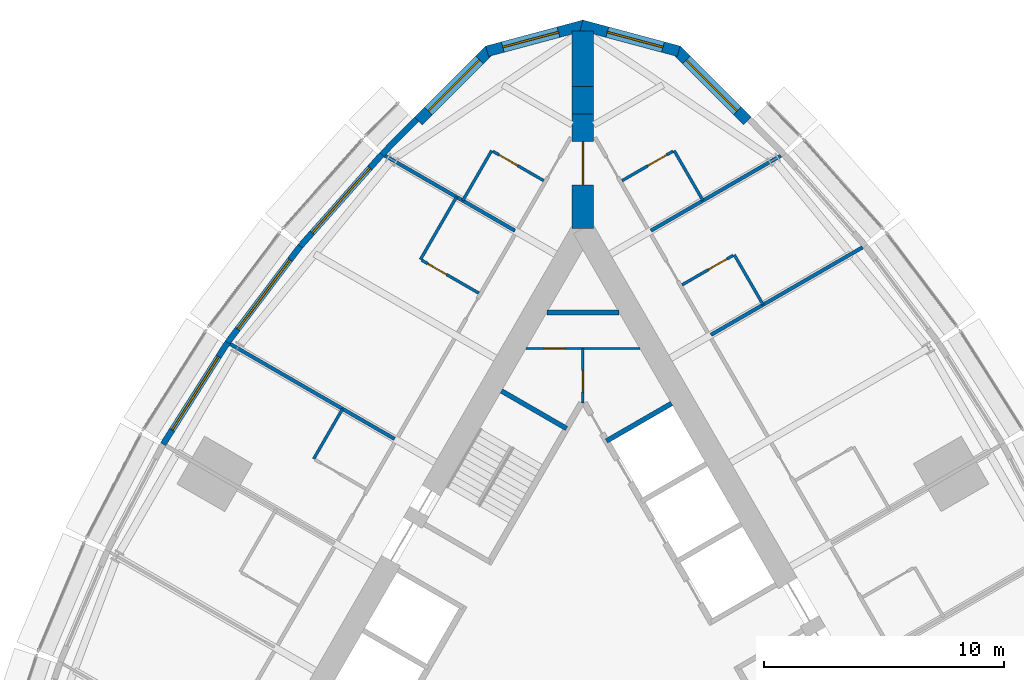
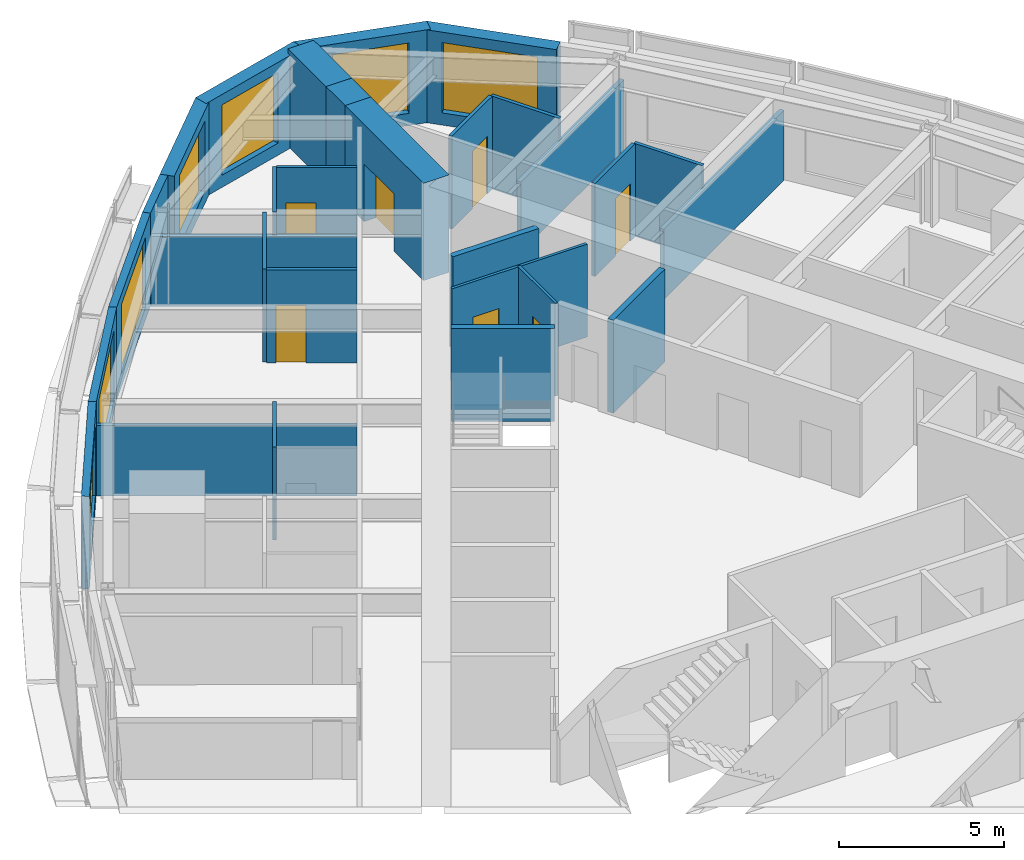
# One storey, part 13 of 15: 29 walls, 7 doors, 7 windows, 14 openings.
"""IFC4 building model written with IfcOpenShell, lengths in metres."""

from ifc_helpers import new_model, si_unit, direction, frame, frame_2d, origin, place, context, subcontext, project, spatial, polyline, rectangle, outline, extrude, material, layer, layer_set, type_object, element, fill, save


model = new_model("IFC4")

# Units and contexts
model_context = context("Model", 3, precision=1e-05, world=origin(), true_north=direction((0.0, 1.0)))
body_context = subcontext(model_context, "Body", "Model", "MODEL_VIEW")
ifc_project = project(units=[si_unit("LENGTHUNIT", "METRE"), si_unit("AREAUNIT", "SQUARE_METRE"), si_unit("VOLUMEUNIT", "CUBIC_METRE"), si_unit("PLANEANGLEUNIT", "RADIAN"), si_unit("MASSUNIT", "GRAM", prefix="KILO")], contexts=[model_context])

# Site, building, storey
site_placement = place(None, origin())
site = spatial("IfcSite", under=ifc_project, at=site_placement, CompositionType="ELEMENT")
building_placement = place(site_placement, origin())
building = spatial("IfcBuilding", under=site, at=building_placement, Name="Trikona Tower", CompositionType="ELEMENT")
storey_placement = place(building_placement, frame((0.0, 0.0, 200.89990234375)))
storey = spatial("IfcBuildingStorey", under=building, at=storey_placement, Name="L53", CompositionType="ELEMENT", Elevation=200.89990234375)

# Wall
ifc_material_1 = material(Name="Metal stud and cement board", Category="gypsum")
ifc_layer_1 = layer(ifc_material_1, 0.1201171875)
ifc_layer_set_1 = layer_set([ifc_layer_1], Name="Bathroom wall 120")
wall_type_1 = type_object("IfcWallType", Name="Bathroom wall 120", PredefinedType="PLUMBINGWALL", material=ifc_layer_set_1)
wall_1_placement = place(storey_placement, frame((7.493408203125, 15.873291015625, 0.0), z_axis=(0.0, 0.0, 1.0), x_axis=(-0.499957262057, 0.866050077142, 0.0)))
element("IfcWall", 1, at=wall_1_placement, inside=storey, type_object=wall_type_1, Name="Bathroom wall 5310", PredefinedType="PLUMBINGWALL", context=body_context, shape_type="SweptSolid", body=[
    extrude(rectangle(XDim=2.400146484375, YDim=0.1201171875, at=frame_2d((1.2001953125, 0.0))), origin(), (0.0, 0.0, 1.0), 3.43505859375),
])

# Wall, opening, door
wall_2_placement = place(storey_placement, frame((4.12841796875, 16.701904296875, 0.0), z_axis=(0.0, 0.0, 1.0), x_axis=(0.866048967903, 0.499959183527, 0.0)))
wall_2 = element("IfcWall", 2, at=wall_2_placement, inside=storey, type_object=wall_type_1, Name="Bathroom wall 5310", PredefinedType="PLUMBINGWALL", context=body_context, shape_type="SweptSolid", body=[
    extrude(rectangle(XDim=2.440185546875, YDim=0.1201171875, at=frame_2d((1.22021484375, 0.0))), origin(), (0.0, 0.0, 1.0), 3.43505859375),
])
opening_1_placement = place(wall_2_placement, frame((1.25, 0.0, 0.0)))
opening_1 = element("IfcOpeningElement", 3, at=opening_1_placement, cuts=wall_2, Name="Opening D2", PredefinedType="OPENING", context=body_context, shape_type="SweptSolid", body=[
    extrude(rectangle(XDim=0.89990234375, YDim=2.1298828125, at=frame_2d((0.449951171875, 1.06494140625))), frame((0.0, 0.070068359375, 0.0), z_axis=(0.0, -1.0, 0.0), x_axis=(1.0, 0.0, 0.0)), (0.0, 0.0, 1.0), 0.14013671875),
])
ifc_material_2 = material(Name="Steel door frame with solid-core timber leaf", Category="steel")
door_type_1 = type_object("IfcDoorType", Name="Bathroom door 900x2130", OperationType="SLIDING_TO_LEFT", PredefinedType="DOOR", material=ifc_material_2)
door_1_placement = place(opening_1_placement, origin())
door_1 = element("IfcDoor", 4, at=door_1_placement, inside=storey, type_object=door_type_1, Name="Bathroom door 5310", OperationType="SLIDING_TO_LEFT", OverallHeight=2.1298828125, OverallWidth=0.89990234375, PredefinedType="DOOR", context=body_context, shape_type="SweptSolid", body=[
    extrude(rectangle(XDim=0.89990234375, YDim=2.1298828125, at=frame_2d((0.449951171875, 1.06494140625))), frame((0.0, 0.02490234375, 0.0), z_axis=(0.0, -1.0, 0.0), x_axis=(1.0, 0.0, 0.0)), (0.0, 0.0, 1.0), 0.050048828125),
])
fill(opening_1, door_1)

# Wall
wall_3_placement = place(storey_placement, frame((4.993408203125, 20.20361328125, 0.0), z_axis=(0.0, 0.0, 1.0), x_axis=(-0.500001309137, 0.866024647952, 0.0)))
element("IfcWall", 5, at=wall_3_placement, inside=storey, type_object=wall_type_1, Name="Bathroom wall 5311", PredefinedType="PLUMBINGWALL", context=body_context, shape_type="SweptSolid", body=[
    extrude(rectangle(XDim=2.39990234375, YDim=0.1201171875, at=frame_2d((1.199951171875, 0.0))), origin(), (0.0, 0.0, 1.0), 3.43505859375),
])

# Wall, opening, door
wall_4_placement = place(storey_placement, frame((1.62841796875, 21.031982421875, 0.0), z_axis=(0.0, 0.0, 1.0), x_axis=(0.866048967903, 0.499959183527, 0.0)))
wall_4 = element("IfcWall", 6, at=wall_4_placement, inside=storey, type_object=wall_type_1, Name="Bathroom wall 5311", PredefinedType="PLUMBINGWALL", context=body_context, shape_type="SweptSolid", body=[
    extrude(rectangle(XDim=2.440185546875, YDim=0.1201171875, at=frame_2d((1.22021484375, 0.0))), origin(), (0.0, 0.0, 1.0), 3.43505859375),
])
opening_2_placement = place(wall_4_placement, frame((1.25, 0.0, 0.0)))
opening_2 = element("IfcOpeningElement", 7, at=opening_2_placement, cuts=wall_4, Name="Opening D2", PredefinedType="OPENING", context=body_context, shape_type="SweptSolid", body=[
    extrude(rectangle(XDim=0.89990234375, YDim=2.1298828125, at=frame_2d((0.449951171875, 1.06494140625))), frame((0.0, 0.070068359375, 0.0), z_axis=(0.0, -1.0, 0.0), x_axis=(1.0, 0.0, 0.0)), (0.0, 0.0, 1.0), 0.14013671875),
])
door_2_placement = place(opening_2_placement, origin())
door_2 = element("IfcDoor", 8, at=door_2_placement, inside=storey, type_object=door_type_1, Name="Bathroom door 5311", OperationType="SLIDING_TO_LEFT", OverallHeight=2.1298828125, OverallWidth=0.89990234375, PredefinedType="DOOR", context=body_context, shape_type="SweptSolid", body=[
    extrude(rectangle(XDim=0.89990234375, YDim=2.1298828125, at=frame_2d((0.449951171875, 1.06494140625))), frame((0.0, 0.02490234375, 0.0), z_axis=(0.0, -1.0, 0.0), x_axis=(1.0, 0.0, 0.0)), (0.0, 0.0, 1.0), 0.050048828125),
])
fill(opening_2, door_2)

# Wall
wall_5_placement = place(storey_placement, frame((-3.79345703125, 22.281982421875, 0.0), z_axis=(0.0, 0.0, 1.0), x_axis=(-0.500001309137, -0.866024647952, 0.0)))
element("IfcWall", 9, at=wall_5_placement, inside=storey, type_object=wall_type_1, Name="Bathroom wall 5312", PredefinedType="PLUMBINGWALL", context=body_context, shape_type="SweptSolid", body=[
    extrude(rectangle(XDim=2.39990234375, YDim=0.1201171875, at=frame_2d((1.199951171875, 0.0))), origin(), (0.0, 0.0, 1.0), 3.43505859375),
])

# Wall, opening, door
wall_6_placement = place(storey_placement, frame((-1.62841796875, 21.031982421875, 0.0), z_axis=(0.0, 0.0, 1.0), x_axis=(-0.866048967903, 0.499959183527, 0.0)))
wall_6 = element("IfcWall", 10, at=wall_6_placement, inside=storey, type_object=wall_type_1, Name="Bathroom wall 5312", PredefinedType="PLUMBINGWALL", context=body_context, shape_type="SweptSolid", body=[
    extrude(rectangle(XDim=2.440185546875, YDim=0.1201171875, at=frame_2d((1.22021484375, 0.0))), origin(), (0.0, 0.0, 1.0), 3.43505859375),
])
opening_3_placement = place(wall_6_placement, frame((1.25, 0.0, 0.0)))
opening_3 = element("IfcOpeningElement", 11, at=opening_3_placement, cuts=wall_6, Name="Opening D2", PredefinedType="OPENING", context=body_context, shape_type="SweptSolid", body=[
    extrude(rectangle(XDim=0.89990234375, YDim=2.1298828125, at=frame_2d((0.449951171875, 1.06494140625))), frame((0.0, 0.070068359375, 0.0), z_axis=(0.0, -1.0, 0.0), x_axis=(1.0, 0.0, 0.0)), (0.0, 0.0, 1.0), 0.14013671875),
])
door_3_placement = place(opening_3_placement, origin())
door_3 = element("IfcDoor", 12, at=door_3_placement, inside=storey, type_object=door_type_1, Name="Bathroom door 5312", OperationType="SLIDING_TO_LEFT", OverallHeight=2.1298828125, OverallWidth=0.89990234375, PredefinedType="DOOR", context=body_context, shape_type="SweptSolid", body=[
    extrude(rectangle(XDim=0.89990234375, YDim=2.1298828125, at=frame_2d((0.449951171875, 1.06494140625))), frame((0.0, 0.02490234375, 0.0), z_axis=(0.0, -1.0, 0.0), x_axis=(1.0, 0.0, 0.0)), (0.0, 0.0, 1.0), 0.050048828125),
])
fill(opening_3, door_3)

# Wall
wall_7_placement = place(storey_placement, frame((-5.25341796875, 20.353515625, 0.0), z_axis=(0.0, 0.0, 1.0), x_axis=(-0.499990139034, -0.866031096941, 0.0)))
element("IfcWall", 13, at=wall_7_placement, inside=storey, type_object=wall_type_1, Name="Bathroom wall 5313", PredefinedType="PLUMBINGWALL", context=body_context, shape_type="SweptSolid", body=[
    extrude(rectangle(XDim=3.0, YDim=0.1201171875, at=frame_2d((1.5, 0.0))), origin(), (0.0, 0.0, 1.0), 3.43505859375),
])

# Wall, opening, door
wall_8_placement = place(storey_placement, frame((-4.32861328125, 16.35546875, 0.0), z_axis=(0.0, 0.0, 1.0), x_axis=(-0.866035715982, 0.499982138324, 0.0)))
wall_8 = element("IfcWall", 14, at=wall_8_placement, inside=storey, type_object=wall_type_1, Name="Bathroom wall 5313", PredefinedType="PLUMBINGWALL", context=body_context, shape_type="SweptSolid", body=[
    extrude(rectangle(XDim=2.73974609375, YDim=0.1201171875, at=frame_2d((1.369873046875, 0.0))), origin(), (0.0, 0.0, 1.0), 3.43505859375),
])
opening_4_placement = place(wall_8_placement, frame((1.550048828125, 0.0, 0.0)))
opening_4 = element("IfcOpeningElement", 15, at=opening_4_placement, cuts=wall_8, Name="Opening D2", PredefinedType="OPENING", context=body_context, shape_type="SweptSolid", body=[
    extrude(rectangle(XDim=0.89990234375, YDim=2.1298828125, at=frame_2d((0.449951171875, 1.06494140625))), frame((0.0, 0.070068359375, 0.0), z_axis=(0.0, -1.0, 0.0), x_axis=(1.0, 0.0, 0.0)), (0.0, 0.0, 1.0), 0.14013671875),
])
door_4_placement = place(opening_4_placement, origin())
door_4 = element("IfcDoor", 16, at=door_4_placement, inside=storey, type_object=door_type_1, Name="Bathroom door 5313", OperationType="SLIDING_TO_LEFT", OverallHeight=2.1298828125, OverallWidth=0.89990234375, PredefinedType="DOOR", context=body_context, shape_type="SweptSolid", body=[
    extrude(rectangle(XDim=0.89990234375, YDim=2.1298828125, at=frame_2d((0.449951171875, 1.06494140625))), frame((0.0, 0.02490234375, 0.0), z_axis=(0.0, -1.0, 0.0), x_axis=(1.0, 0.0, 0.0)), (0.0, 0.0, 1.0), 0.050048828125),
])
fill(opening_4, door_4)

# Wall
wall_9_placement = place(storey_placement, frame((-9.993408203125, 11.543212890625, 0.0), z_axis=(0.0, 0.0, 1.0), x_axis=(-0.500077600433, -0.865980596518, 0.0)))
element("IfcWall", 17, at=wall_9_placement, inside=storey, type_object=wall_type_1, Name="Bathroom wall 5314", PredefinedType="PLUMBINGWALL", context=body_context, shape_type="SweptSolid", body=[
    extrude(rectangle(XDim=2.39990234375, YDim=0.1201171875, at=frame_2d((1.199951171875, 0.0))), origin(), (0.0, 0.0, 1.0), 3.43505859375),
])

# Wall, opening, window
ifc_material_3 = material(Name="Brick-faced precast concrete", Category="masonry")
ifc_layer_2 = layer(ifc_material_3, 0.449951171875)
ifc_layer_set_2 = layer_set([ifc_layer_2], Name="Brick-faced corner wall 450")
wall_type_2 = type_object("IfcWallType", Name="Brick-faced corner wall 450", PredefinedType="SOLIDWALL", material=ifc_layer_set_2)
wall_10_placement = place(storey_placement, frame((6.8408203125, 23.51220703125, 0.0), z_axis=(0.0, 0.0, 1.0), x_axis=(-0.707106781187, 0.707106781187, 0.0)))
wall_10 = element("IfcWall", 18, at=wall_10_placement, inside=storey, type_object=wall_type_2, Name="External wall L53-20", PredefinedType="SOLIDWALL", context=body_context, shape_type="SweptSolid", body=[
    extrude(rectangle(XDim=4.183837890625, YDim=0.449951171875, at=frame_2d((2.091796875, 0.0))), origin(), (0.0, 0.0, 1.0), 3.43505859375),
])
opening_5_placement = place(wall_10_placement, frame((0.592041015625, 0.0, 0.449951171875)))
opening_5 = element("IfcOpeningElement", 19, at=opening_5_placement, cuts=wall_10, Name="Opening W3026", PredefinedType="OPENING", context=body_context, shape_type="SweptSolid", body=[
    extrude(rectangle(XDim=3.0, YDim=2.60009765625, at=frame_2d((1.5, 1.300048828125))), frame((0.0, 0.23486328125, 0.0), z_axis=(0.0, -1.0, 0.0), x_axis=(1.0, 0.0, 0.0)), (0.0, 0.0, 1.0), 0.469970703125),
])
ifc_material_4 = material(Name="Aluminium-framed double glazing", Category="aluminium")
window_type_1 = type_object("IfcWindowType", Name="Window 3000x2600", PartitioningType="SINGLE_PANEL", PredefinedType="WINDOW", material=ifc_material_4)
window_1_placement = place(opening_5_placement, origin())
window_1 = element("IfcWindow", 20, at=window_1_placement, inside=storey, type_object=window_type_1, Name="Window 5311", OverallHeight=2.60009765625, OverallWidth=3.0, PartitioningType="SINGLE_PANEL", PredefinedType="WINDOW", context=body_context, shape_type="SweptSolid", body=[
    extrude(rectangle(XDim=3.0, YDim=2.60009765625, at=frame_2d((1.5, 1.300048828125))), frame((0.0, 0.030029296875, 0.0), z_axis=(0.0, -1.0, 0.0), x_axis=(1.0, 0.0, 0.0)), (0.0, 0.0, 1.0), 0.06005859375),
])
fill(opening_5, window_1)

wall_11_placement = place(storey_placement, frame((3.9833984375, 26.41259765625, 0.0), z_axis=(0.0, 0.0, 1.0), x_axis=(-0.965920442324, 0.258839137498, 0.0)))
wall_11 = element("IfcWall", 21, at=wall_11_placement, inside=storey, type_object=wall_type_2, Name="External wall L53-21", PredefinedType="SOLIDWALL", context=body_context, shape_type="SweptSolid", body=[
    extrude(outline(polyline([(4.18408203125, 0.22509765625), (4.124267578125, 0.22509765625), (3.633056640625, 0.09326171875), (3.59765625, 0.22509765625), (0.0, 0.22509765625), (0.0, -0.22509765625), (4.18408203125, -0.22509765625), (4.18408203125, 0.22509765625)])), origin(), (0.0, 0.0, 1.0), 3.43505859375),
])
opening_6_placement = place(wall_11_placement, frame((0.673828125, 0.0, 0.449951171875)))
opening_6 = element("IfcOpeningElement", 22, at=opening_6_placement, cuts=wall_11, Name="Opening W2426", PredefinedType="OPENING", context=body_context, shape_type="SweptSolid", body=[
    extrude(rectangle(XDim=2.39990234375, YDim=2.60009765625, at=frame_2d((1.199951171875, 1.300048828125))), frame((0.0, 0.23486328125, 0.0), z_axis=(0.0, -1.0, 0.0), x_axis=(1.0, 0.0, 0.0)), (0.0, 0.0, 1.0), 0.469970703125),
])
ifc_material_5 = material(Name="Aluminium-framed double glazing", Category="aluminium")
window_type_2 = type_object("IfcWindowType", Name="Window 2400x2600", PartitioningType="SINGLE_PANEL", PredefinedType="WINDOW", material=ifc_material_5)
window_2_placement = place(opening_6_placement, origin())
window_2 = element("IfcWindow", 23, at=window_2_placement, inside=storey, type_object=window_type_2, Name="Window 5311", OverallHeight=2.60009765625, OverallWidth=2.39990234375, PartitioningType="SINGLE_PANEL", PredefinedType="WINDOW", context=body_context, shape_type="SweptSolid", body=[
    extrude(rectangle(XDim=2.39990234375, YDim=2.60009765625, at=frame_2d((1.199951171875, 1.300048828125))), frame((0.0, 0.030029296875, 0.0), z_axis=(0.0, -1.0, 0.0), x_axis=(1.0, 0.0, 0.0)), (0.0, 0.0, 1.0), 0.06005859375),
])
fill(opening_6, window_2)

wall_12_placement = place(storey_placement, frame((0.05810546875, 27.49560546875, 0.0), z_axis=(0.0, 0.0, 1.0), x_axis=(-0.965920442324, -0.258839137498, 0.0)))
wall_12 = element("IfcWall", 24, at=wall_12_placement, inside=storey, type_object=wall_type_2, Name="External wall L53-22", PredefinedType="SOLIDWALL", context=body_context, shape_type="SweptSolid", body=[
    extrude(outline(polyline([(4.18408203125, 0.22509765625), (0.58642578125, 0.22509765625), (0.551025390625, 0.09326171875), (0.059814453125, 0.22509765625), (0.0, 0.22509765625), (0.0, -0.22509765625), (4.18408203125, -0.22509765625), (4.18408203125, 0.22509765625)])), origin(), (0.0, 0.0, 1.0), 3.43505859375),
])
opening_7_placement = place(wall_12_placement, frame((1.1103515625, 0.0, 0.449951171875)))
opening_7 = element("IfcOpeningElement", 25, at=opening_7_placement, cuts=wall_12, Name="Opening W2426", PredefinedType="OPENING", context=body_context, shape_type="SweptSolid", body=[
    extrude(rectangle(XDim=2.39990234375, YDim=2.60009765625, at=frame_2d((1.199951171875, 1.300048828125))), frame((0.0, 0.23486328125, 0.0), z_axis=(0.0, -1.0, 0.0), x_axis=(1.0, 0.0, 0.0)), (0.0, 0.0, 1.0), 0.469970703125),
])
window_3_placement = place(opening_7_placement, origin())
window_3 = element("IfcWindow", 26, at=window_3_placement, inside=storey, type_object=window_type_2, Name="Window 5312", OverallHeight=2.60009765625, OverallWidth=2.39990234375, PartitioningType="SINGLE_PANEL", PredefinedType="WINDOW", context=body_context, shape_type="SweptSolid", body=[
    extrude(rectangle(XDim=2.39990234375, YDim=2.60009765625, at=frame_2d((1.199951171875, 1.300048828125))), frame((0.0, 0.030029296875, 0.0), z_axis=(0.0, -1.0, 0.0), x_axis=(1.0, 0.0, 0.0)), (0.0, 0.0, 1.0), 0.06005859375),
])
fill(opening_7, window_3)

wall_13_placement = place(storey_placement, frame((-3.88232421875, 26.470703125, 0.0), z_axis=(0.0, 0.0, 1.0), x_axis=(-0.707106781187, -0.707106781187, 0.0)))
wall_13 = element("IfcWall", 27, at=wall_13_placement, inside=storey, type_object=wall_type_2, Name="External wall L53-23", PredefinedType="SOLIDWALL", context=body_context, shape_type="SweptSolid", body=[
    extrude(rectangle(XDim=4.183837890625, YDim=0.449951171875, at=frame_2d((2.091796875, 0.0))), origin(), (0.0, 0.0, 1.0), 3.43505859375),
])
opening_8_placement = place(wall_13_placement, frame((0.592041015625, 0.0, 0.449951171875)))
opening_8 = element("IfcOpeningElement", 28, at=opening_8_placement, cuts=wall_13, Name="Opening W3026", PredefinedType="OPENING", context=body_context, shape_type="SweptSolid", body=[
    extrude(rectangle(XDim=3.0, YDim=2.60009765625, at=frame_2d((1.5, 1.300048828125))), frame((0.0, 0.23486328125, 0.0), z_axis=(0.0, -1.0, 0.0), x_axis=(1.0, 0.0, 0.0)), (0.0, 0.0, 1.0), 0.469970703125),
])
window_4_placement = place(opening_8_placement, origin())
window_4 = element("IfcWindow", 29, at=window_4_placement, inside=storey, type_object=window_type_1, Name="Window 5312", OverallHeight=2.60009765625, OverallWidth=3.0, PartitioningType="SINGLE_PANEL", PredefinedType="WINDOW", context=body_context, shape_type="SweptSolid", body=[
    extrude(rectangle(XDim=3.0, YDim=2.60009765625, at=frame_2d((1.5, 1.300048828125))), frame((0.0, 0.030029296875, 0.0), z_axis=(0.0, -1.0, 0.0), x_axis=(1.0, 0.0, 0.0)), (0.0, 0.0, 1.0), 0.06005859375),
])
fill(opening_8, window_4)

# Wall, opening, door
ifc_material_6 = material(Name="Concrete f'c 10000 psi", Category="concrete")
ifc_layer_3 = layer(ifc_material_6, 0.89990234375)
ifc_layer_set_3 = layer_set([ifc_layer_3], Name="Buttress wall 900")
wall_type_3 = type_object("IfcWallType", Name="Buttress wall 900", PredefinedType="SHEAR", material=ifc_layer_set_3)
wall_14_placement = place(storey_placement, frame((0.0, 19.052490234375, 0.0), z_axis=(0.0, 0.0, 1.0), x_axis=(0.0, 1.0, 0.0)))
wall_14 = element("IfcWall", 30, at=wall_14_placement, inside=storey, type_object=wall_type_3, Name="Buttress wall 2", PredefinedType="SHEAR", context=body_context, shape_type="SweptSolid", body=[
    extrude(rectangle(XDim=4.74609375, YDim=0.89990234375, at=frame_2d((2.373046875, 0.0))), origin(), (0.0, 0.0, 1.0), 3.60009765625),
])
opening_9_placement = place(wall_14_placement, frame((1.800048828125, 0.0, 0.0)))
opening_9 = element("IfcOpeningElement", 31, at=opening_9_placement, cuts=wall_14, Name="Opening D10", PredefinedType="OPENING", context=body_context, shape_type="SweptSolid", body=[
    extrude(rectangle(XDim=1.800048828125, YDim=2.1298828125, at=frame_2d((0.89990234375, 1.06494140625))), frame((0.0, 0.4599609375, 0.0), z_axis=(0.0, -1.0, 0.0), x_axis=(1.0, 0.0, 0.0)), (0.0, 0.0, 1.0), 0.919921875),
])
ifc_material_7 = material(Name="Hollow metal door and frame", Category="steel")
door_type_2 = type_object("IfcDoorType", Name="Cross-corridor door pair 1800x2130", OperationType="DOUBLE_DOOR_DOUBLE_SWING", PredefinedType="DOOR", material=ifc_material_7)
door_5_placement = place(opening_9_placement, origin())
door_5 = element("IfcDoor", 32, at=door_5_placement, inside=storey, type_object=door_type_2, Name="Cross-corridor door 2", OperationType="DOUBLE_DOOR_DOUBLE_SWING", OverallHeight=2.1298828125, OverallWidth=1.800048828125, PredefinedType="DOOR", context=body_context, shape_type="SweptSolid", body=[
    extrude(rectangle(XDim=1.800048828125, YDim=2.1298828125, at=frame_2d((0.89990234375, 1.06494140625))), frame((0.0, 0.02490234375, 0.0), z_axis=(0.0, -1.0, 0.0), x_axis=(1.0, 0.0, 0.0)), (0.0, 0.0, 1.0), 0.050048828125),
])
fill(opening_9, door_5)

# Walls
wall_15_placement = place(storey_placement, frame((0.0, 23.798583984375, 0.0), z_axis=(0.0, 0.0, 1.0), x_axis=(0.0, 1.0, 0.0)))
element("IfcWall", 33, at=wall_15_placement, inside=storey, type_object=wall_type_3, Name="Buttress wall 2 part 2", PredefinedType="SHEAR", context=body_context, shape_type="SweptSolid", body=[
    extrude(rectangle(XDim=1.15478515625, YDim=0.89990234375, at=frame_2d((0.577392578125, 0.0))), origin(), (0.0, 0.0, 1.0), 3.60009765625),
])
wall_16_placement = place(storey_placement, frame((0.0, 24.953369140625, 0.0), z_axis=(0.0, 0.0, 1.0), x_axis=(0.0, 1.0, 0.0)))
element("IfcWall", 34, at=wall_16_placement, inside=storey, type_object=wall_type_3, Name="Buttress wall 2 part 3", PredefinedType="SHEAR", context=body_context, shape_type="SweptSolid", body=[
    extrude(rectangle(XDim=2.309326171875, YDim=0.89990234375, at=frame_2d((1.15478515625, 0.0))), origin(), (0.0, 0.0, 1.0), 3.60009765625),
])
ifc_material_8 = material(Name="Insulated precast concrete spandrel panel", Category="concrete")
ifc_layer_4 = layer(ifc_material_8, 0.25)
ifc_layer_set_4 = layer_set([ifc_layer_4], Name="Inner skin wall 250")
wall_type_4 = type_object("IfcWallType", Name="Inner skin wall 250", PredefinedType="STANDARD", material=ifc_layer_set_4)
wall_17_placement = place(storey_placement, frame((-6.9111328125, 23.58349609375, 0.0), z_axis=(0.0, 0.0, 1.0), x_axis=(-0.704149946111, -0.710051303352, 0.0)))
element("IfcWall", 35, at=wall_17_placement, inside=storey, type_object=wall_type_4, Name="External wall L53-24", PredefinedType="STANDARD", context=body_context, shape_type="SweptSolid", body=[
    extrude(rectangle(XDim=2.068603515625, YDim=0.25, at=frame_2d((1.0341796875, 0.0))), origin(), (0.0, 0.0, 1.0), 3.43505859375),
])

# Wall, opening, window
wall_18_placement = place(storey_placement, frame((-8.363037109375, 22.119873046875, 0.0), z_axis=(0.0, 0.0, 1.0), x_axis=(-0.664348996191, -0.747422511876, 0.0)))
wall_18 = element("IfcWall", 36, at=wall_18_placement, inside=storey, type_object=wall_type_4, Name="External wall L53-25", PredefinedType="STANDARD", context=body_context, shape_type="SweptSolid", body=[
    extrude(rectangle(XDim=5.104736328125, YDim=0.25, at=frame_2d((2.55224609375, 0.0))), origin(), (0.0, 0.0, 1.0), 3.43505859375),
])
opening_10_placement = place(wall_18_placement, frame((0.75244140625, 0.0, 0.449951171875)))
opening_10 = element("IfcOpeningElement", 37, at=opening_10_placement, cuts=wall_18, Name="Opening W3626", PredefinedType="OPENING", context=body_context, shape_type="SweptSolid", body=[
    extrude(rectangle(XDim=3.60009765625, YDim=2.60009765625, at=frame_2d((1.800048828125, 1.300048828125))), frame((0.0, 0.135009765625, 0.0), z_axis=(0.0, -1.0, 0.0), x_axis=(1.0, 0.0, 0.0)), (0.0, 0.0, 1.0), 0.27001953125),
])
ifc_material_9 = material(Name="Aluminium-framed double glazing", Category="aluminium")
window_type_3 = type_object("IfcWindowType", Name="Window 3600x2600", PartitioningType="SINGLE_PANEL", PredefinedType="WINDOW", material=ifc_material_9)
window_5_placement = place(opening_10_placement, origin())
window_5 = element("IfcWindow", 38, at=window_5_placement, inside=storey, type_object=window_type_3, Name="Window 5313", OverallHeight=2.60009765625, OverallWidth=3.60009765625, PartitioningType="SINGLE_PANEL", PredefinedType="WINDOW", context=body_context, shape_type="SweptSolid", body=[
    extrude(rectangle(XDim=3.60009765625, YDim=2.60009765625, at=frame_2d((1.800048828125, 1.300048828125))), frame((0.0, 0.030029296875, 0.0), z_axis=(0.0, -1.0, 0.0), x_axis=(1.0, 0.0, 0.0)), (0.0, 0.0, 1.0), 0.06005859375),
])
fill(opening_10, window_5)

wall_19_placement = place(storey_placement, frame((-11.748046875, 18.31201171875, 0.0), z_axis=(0.0, 0.0, 1.0), x_axis=(-0.602408653511, -0.798187831388, 0.0)))
wall_19 = element("IfcWall", 39, at=wall_19_placement, inside=storey, type_object=wall_type_4, Name="External wall L53-26", PredefinedType="STANDARD", context=body_context, shape_type="SweptSolid", body=[
    extrude(rectangle(XDim=5.037841796875, YDim=0.25, at=frame_2d((2.51904296875, 0.0))), origin(), (0.0, 0.0, 1.0), 3.43505859375),
])
opening_11_placement = place(wall_19_placement, frame((0.718994140625, 0.0, 0.449951171875)))
opening_11 = element("IfcOpeningElement", 40, at=opening_11_placement, cuts=wall_19, Name="Opening W3626", PredefinedType="OPENING", context=body_context, shape_type="SweptSolid", body=[
    extrude(rectangle(XDim=3.60009765625, YDim=2.60009765625, at=frame_2d((1.800048828125, 1.300048828125))), frame((0.0, 0.135009765625, 0.0), z_axis=(0.0, -1.0, 0.0), x_axis=(1.0, 0.0, 0.0)), (0.0, 0.0, 1.0), 0.27001953125),
])
window_6_placement = place(opening_11_placement, origin())
window_6 = element("IfcWindow", 41, at=window_6_placement, inside=storey, type_object=window_type_3, Name="Window 5313", OverallHeight=2.60009765625, OverallWidth=3.60009765625, PartitioningType="SINGLE_PANEL", PredefinedType="WINDOW", context=body_context, shape_type="SweptSolid", body=[
    extrude(rectangle(XDim=3.60009765625, YDim=2.60009765625, at=frame_2d((1.800048828125, 1.300048828125))), frame((0.0, 0.030029296875, 0.0), z_axis=(0.0, -1.0, 0.0), x_axis=(1.0, 0.0, 0.0)), (0.0, 0.0, 1.0), 0.06005859375),
])
fill(opening_11, window_6)

wall_20_placement = place(storey_placement, frame((-14.777099609375, 14.29931640625, 0.0), z_axis=(0.0, 0.0, 1.0), x_axis=(-0.535220361449, -0.844712474568, 0.0)))
wall_20 = element("IfcWall", 42, at=wall_20_placement, inside=storey, type_object=wall_type_4, Name="External wall L53-27", PredefinedType="STANDARD", context=body_context, shape_type="SweptSolid", body=[
    extrude(rectangle(XDim=5.00439453125, YDim=0.25, at=frame_2d((2.502197265625, 0.0))), origin(), (0.0, 0.0, 1.0), 3.43505859375),
])
opening_12_placement = place(wall_20_placement, frame((0.7021484375, 0.0, 0.449951171875)))
opening_12 = element("IfcOpeningElement", 43, at=opening_12_placement, cuts=wall_20, Name="Opening W3626", PredefinedType="OPENING", context=body_context, shape_type="SweptSolid", body=[
    extrude(rectangle(XDim=3.60009765625, YDim=2.60009765625, at=frame_2d((1.800048828125, 1.300048828125))), frame((0.0, 0.135009765625, 0.0), z_axis=(0.0, -1.0, 0.0), x_axis=(1.0, 0.0, 0.0)), (0.0, 0.0, 1.0), 0.27001953125),
])
window_7_placement = place(opening_12_placement, origin())
window_7 = element("IfcWindow", 44, at=window_7_placement, inside=storey, type_object=window_type_3, Name="Window 5314", OverallHeight=2.60009765625, OverallWidth=3.60009765625, PartitioningType="SINGLE_PANEL", PredefinedType="WINDOW", context=body_context, shape_type="SweptSolid", body=[
    extrude(rectangle(XDim=3.60009765625, YDim=2.60009765625, at=frame_2d((1.800048828125, 1.300048828125))), frame((0.0, 0.030029296875, 0.0), z_axis=(0.0, -1.0, 0.0), x_axis=(1.0, 0.0, 0.0)), (0.0, 0.0, 1.0), 0.06005859375),
])
fill(opening_12, window_7)

# Walls
ifc_material_10 = material(Name="Metal stud and gypsum board, 1-hour acoustic", Category="gypsum")
ifc_layer_5 = layer(ifc_material_10, 0.14990234375)
ifc_layer_set_5 = layer_set([ifc_layer_5], Name="Party wall 150")
wall_type_5 = type_object("IfcWallType", Name="Party wall 150", PredefinedType="PARTITIONING", material=ifc_layer_set_5)
wall_21_placement = place(storey_placement, frame((5.32861328125, 14.623291015625, 0.0), z_axis=(0.0, 0.0, 1.0), x_axis=(0.866017877653, 0.500013035415, 0.0)))
element("IfcWall", 45, at=wall_21_placement, inside=storey, type_object=wall_type_5, Name="Partition L53 F2 u10", PredefinedType="PARTITIONING", context=body_context, shape_type="SweptSolid", body=[
    extrude(rectangle(XDim=7.272705078125, YDim=0.14990234375, at=frame_2d((3.63623046875, 0.0))), origin(), (0.0, 0.0, 1.0), 2.58935546875),
])
for number, where, z_axis, x_axis, name in (
    (46, (2.82861328125, 18.95361328125, 0.0), (0.0, 0.0, 1.0), (0.866026604282, 0.499997920671, 0.0), "Partition L53 F2 u15"),
    (47, (-2.82861328125, 18.95361328125, 0.0), (0.0, 0.0, 1.0), (-0.866026604282, 0.499997920671, 0.0), "Partition L53 F3 u-15"),
):
    element("IfcWall", number, at=place(storey_placement, frame(where, z_axis=z_axis, x_axis=x_axis)), inside=storey, type_object=wall_type_5, Name=name, PredefinedType="PARTITIONING", context=body_context, shape_type="SweptSolid", body=[
        extrude(rectangle(XDim=6.23974609375, YDim=0.14990234375, at=frame_2d((3.119873046875, 0.0))), origin(), (0.0, 0.0, 1.0), 2.58935546875),
    ])
wall_22_placement = place(storey_placement, frame((-7.82861328125, 10.293212890625, 0.0), z_axis=(0.0, 0.0, 1.0), x_axis=(-0.866030558329, 0.49999107196, 0.0)))
element("IfcWall", 48, at=wall_22_placement, inside=storey, type_object=wall_type_5, Name="Partition L53 F3 u-5", PredefinedType="PARTITIONING", context=body_context, shape_type="SweptSolid", body=[
    extrude(rectangle(XDim=7.893798828125, YDim=0.14990234375, at=frame_2d((3.94677734375, 0.0))), origin(), (0.0, 0.0, 1.0), 2.58935546875),
])
ifc_material_11 = material(Name="Concrete f'c 8000 psi", Category="concrete")
ifc_layer_6 = layer(ifc_material_11, 0.199951171875)
ifc_layer_set_6 = layer_set([ifc_layer_6], Name="Shaft wall 200")
wall_type_6 = type_object("IfcWallType", Name="Shaft wall 200", PredefinedType="SOLIDWALL", material=ifc_layer_set_6)
wall_23_placement = place(storey_placement, frame((0.97900390625, 10.20703125, 0.0), z_axis=(0.0, 0.0, 1.0), x_axis=(0.866022959057, 0.500004234368, 0.0)))
element("IfcWall", 49, at=wall_23_placement, inside=storey, type_object=wall_type_6, Name="Shaft wall B6", PredefinedType="SOLIDWALL", context=body_context, shape_type="SweptSolid", body=[
    extrude(rectangle(XDim=3.125, YDim=0.199951171875, at=frame_2d((1.5625, 0.0))), origin(), (0.0, 0.0, 1.0), 3.43505859375),
])
wall_24_placement = place(storey_placement, frame((-1.501220703125, 15.552490234375, 0.0), z_axis=(0.0, 0.0, 1.0), x_axis=(1.0, 0.0, 0.0)))
element("IfcWall", 50, at=wall_24_placement, inside=storey, type_object=wall_type_6, Name="Riser wall L53-RS2", PredefinedType="SOLIDWALL", context=body_context, shape_type="SweptSolid", body=[
    extrude(rectangle(XDim=3.00244140625, YDim=0.199951171875, at=frame_2d((1.501220703125, 0.0))), origin(), (0.0, 0.0, 1.0), 3.43505859375),
])
ifc_material_12 = material(Name="Concrete f'c 8000 psi", Category="concrete")
ifc_layer_7 = layer(ifc_material_12, 0.199951171875)
ifc_layer_set_7 = layer_set([ifc_layer_7], Name="Shaft wall 200 load-bearing")
wall_type_7 = type_object("IfcWallType", Name="Shaft wall 200 load-bearing", PredefinedType="SOLIDWALL", material=ifc_layer_set_7)
wall_25_placement = place(storey_placement, frame((-0.678955078125, 10.7265625, 0.0), z_axis=(0.0, 0.0, 1.0), x_axis=(-0.866022959057, 0.500004234368, 0.0)))
element("IfcWall", 51, at=wall_25_placement, inside=storey, type_object=wall_type_7, Name="Shaft wall C1", PredefinedType="SOLIDWALL", context=body_context, shape_type="SweptSolid", body=[
    extrude(rectangle(XDim=3.125, YDim=0.199951171875, at=frame_2d((1.5625, 0.0))), origin(), (0.0, 0.0, 1.0), 3.43505859375),
])

# Wall, opening, door
ifc_material_13 = material(Name="Metal stud and gypsum board, acoustic", Category="gypsum")
ifc_layer_8 = layer(ifc_material_13, 0.10009765625)
ifc_layer_set_8 = layer_set([ifc_layer_8], Name="Suite partition 100")
wall_type_8 = type_object("IfcWallType", Name="Suite partition 100", PredefinedType="PARTITIONING", material=ifc_layer_set_8)
wall_26_placement = place(storey_placement, frame((-2.3671875, 14.052490234375, 0.0), z_axis=(0.0, 0.0, 1.0), x_axis=(1.0, 0.0, 0.0)))
wall_26 = element("IfcWall", 52, at=wall_26_placement, inside=storey, type_object=wall_type_8, Name="Store partition L53-RS2", PredefinedType="PARTITIONING", context=body_context, shape_type="SweptSolid", body=[
    extrude(rectangle(XDim=4.734375, YDim=0.10009765625, at=frame_2d((2.3671875, 0.0))), origin(), (0.0, 0.0, 1.0), 3.43505859375),
])
opening_13_placement = place(wall_26_placement, frame((0.733642578125, 0.0, 0.0)))
opening_13 = element("IfcOpeningElement", 53, at=opening_13_placement, cuts=wall_26, Name="Opening D15", PredefinedType="OPENING", context=body_context, shape_type="SweptSolid", body=[
    extrude(rectangle(XDim=0.89990234375, YDim=2.1298828125, at=frame_2d((0.449951171875, 1.06494140625))), frame((0.0, 0.06005859375, 0.0), z_axis=(0.0, -1.0, 0.0), x_axis=(1.0, 0.0, 0.0)), (0.0, 0.0, 1.0), 0.1201171875),
])
ifc_material_14 = material(Name="Steel door frame with solid-core timber leaf", Category="steel")
door_type_3 = type_object("IfcDoorType", Name="Store door 900x2130", OperationType="SINGLE_SWING_LEFT", PredefinedType="DOOR", material=ifc_material_14)
door_6_placement = place(opening_13_placement, origin())
door_6 = element("IfcDoor", 54, at=door_6_placement, inside=storey, type_object=door_type_3, Name="Door Cleaner's store CLN", OperationType="SINGLE_SWING_LEFT", OverallHeight=2.1298828125, OverallWidth=0.89990234375, PredefinedType="DOOR", context=body_context, shape_type="SweptSolid", body=[
    extrude(rectangle(XDim=0.89990234375, YDim=2.1298828125, at=frame_2d((0.449951171875, 1.06494140625))), frame((0.0, 0.02490234375, 0.0), z_axis=(0.0, -1.0, 0.0), x_axis=(1.0, 0.0, 0.0)), (0.0, 0.0, 1.0), 0.050048828125),
])
fill(opening_13, door_6)

wall_27_placement = place(storey_placement, frame((0.0, 14.052490234375, 0.0), z_axis=(0.0, 0.0, 1.0), x_axis=(0.0, -1.0, 0.0)))
wall_27 = element("IfcWall", 55, at=wall_27_placement, inside=storey, type_object=wall_type_8, Name="Store partition L53-RS2", PredefinedType="PARTITIONING", context=body_context, shape_type="SweptSolid", body=[
    extrude(rectangle(XDim=2.275146484375, YDim=0.10009765625, at=frame_2d((1.1376953125, 0.0))), origin(), (0.0, 0.0, 1.0), 3.43505859375),
])
opening_14_placement = place(wall_27_placement, frame((0.9150390625, 0.0, 0.0)))
opening_14 = element("IfcOpeningElement", 56, at=opening_14_placement, cuts=wall_27, Name="Opening D15", PredefinedType="OPENING", context=body_context, shape_type="SweptSolid", body=[
    extrude(rectangle(XDim=0.89990234375, YDim=2.1298828125, at=frame_2d((0.449951171875, 1.06494140625))), frame((0.0, 0.06005859375, 0.0), z_axis=(0.0, -1.0, 0.0), x_axis=(1.0, 0.0, 0.0)), (0.0, 0.0, 1.0), 0.1201171875),
])
door_7_placement = place(opening_14_placement, origin())
door_7 = element("IfcDoor", 57, at=door_7_placement, inside=storey, type_object=door_type_3, Name="Door Uniform store UNF", OperationType="SINGLE_SWING_RIGHT", OverallHeight=2.1298828125, OverallWidth=0.89990234375, PredefinedType="DOOR", context=body_context, shape_type="SweptSolid", body=[
    extrude(rectangle(XDim=0.89990234375, YDim=2.1298828125, at=frame_2d((0.449951171875, 1.06494140625))), frame((0.0, 0.02490234375, 0.0), z_axis=(0.0, -1.0, 0.0), x_axis=(1.0, 0.0, 0.0)), (0.0, 0.0, 1.0), 0.050048828125),
])
fill(opening_14, door_7)

save(model, "model.ifc")
